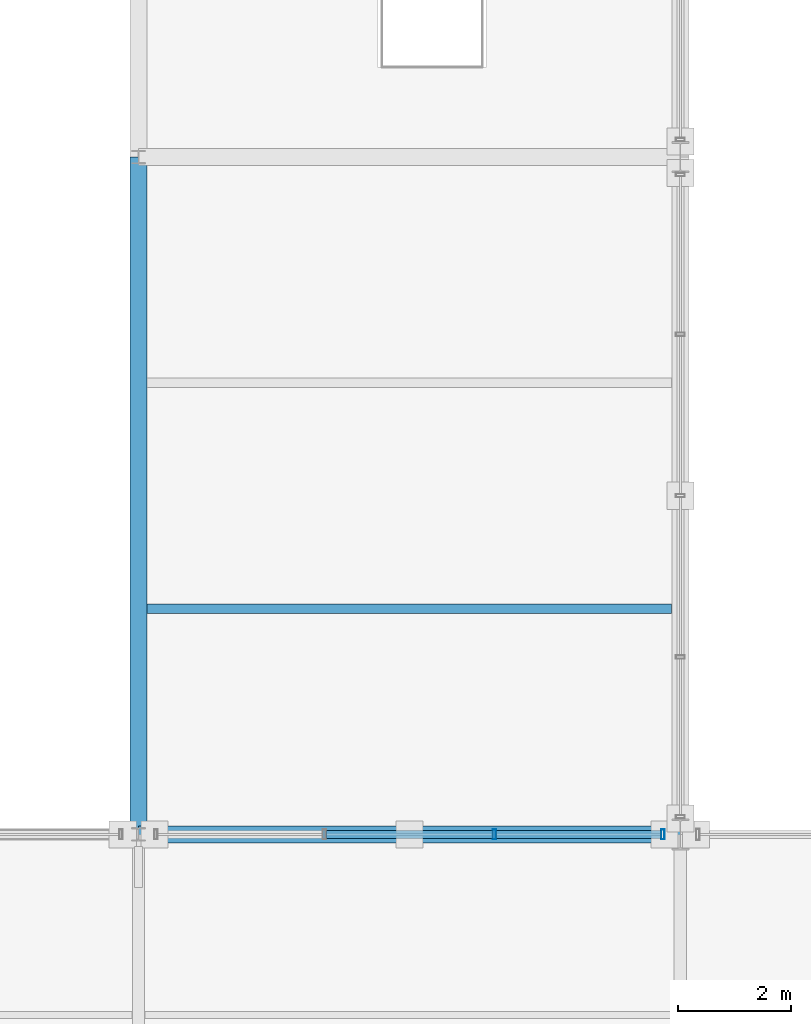
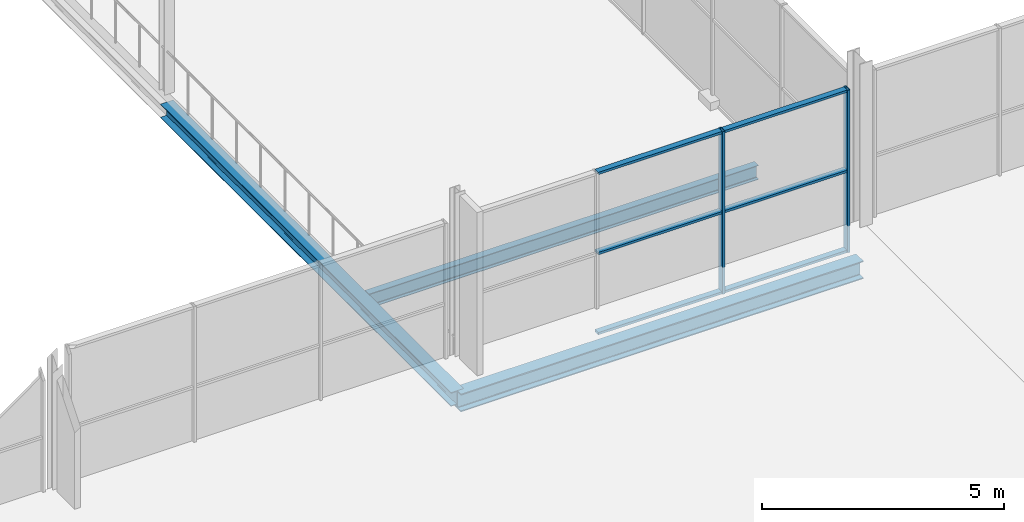
# One storey, part 30 of 159: 8 members, 3 beams, 1 element without a shape of its own.
"""IFC4 building model written with IfcOpenShell, lengths in metres."""

from ifc_helpers import new_model, si_unit, direction, frame, origin, origin_2d, place, context, subcontext, project, spatial, hollow_rectangle, i_section, extrude, material, material_profile, profile_set, type_object, element, aggregate, save


model = new_model("IFC4")

# Units and contexts
model_context = context("Model", 3, precision=1e-05, world=origin(), true_north=direction((0.0, 1.0)))
body_context = subcontext(model_context, "Body", "Model", "MODEL_VIEW")
ifc_project = project(units=[si_unit("LENGTHUNIT", "METRE"), si_unit("AREAUNIT", "SQUARE_METRE"), si_unit("VOLUMEUNIT", "CUBIC_METRE"), si_unit("PLANEANGLEUNIT", "RADIAN"), si_unit("MASSUNIT", "GRAM", prefix="KILO")], contexts=[model_context])

# Site, building, storey
site_placement = place(None, origin())
site = spatial("IfcSite", under=ifc_project, at=site_placement, CompositionType="ELEMENT")
building_placement = place(site_placement, origin())
building = spatial("IfcBuilding", under=site, at=building_placement, Name="Merenkruunu Market Hall", CompositionType="ELEMENT")
storey_placement = place(building_placement, frame((0.0, 0.0, 5.39990234375)))
storey = spatial("IfcBuildingStorey", under=building, at=storey_placement, Name="L01", CompositionType="ELEMENT", Elevation=5.39990234375)

# Curtain wall, members
ifc_material_1 = material(Name="Powder-coated aluminium", Category="aluminium")
curtain_wall_type = type_object("IfcCurtainWallType", Name="Glazed Curtain Wall CW09", PredefinedType="USERDEFINED", material=ifc_material_1)
curtain_wall_placement = place(storey_placement, origin())
curtain_wall = element("IfcCurtainWall", 1, at=curtain_wall_placement, inside=storey, type_object=curtain_wall_type, Name="CW-L01-CWM02-035", ObjectType="GLAZED_FACADE", PredefinedType="USERDEFINED")
ifc_material_profile_1 = material_profile(ifc_material_1, hollow_rectangle(XDim=0.06005859375, YDim=0.179931640625, WallThickness=0.00390625, at=origin_2d()), Name="ALU 60x180x4")
ifc_profile_set_1 = profile_set([ifc_material_profile_1], Name="Powder-coated aluminium")
member_type_1 = type_object("IfcMemberType", Name="Curtain Wall Mullion CWM02", PredefinedType="MULLION", material=ifc_profile_set_1)
member_1_placement = place(storey_placement, frame((57.2900390625, 15.60009765625, 0.0), z_axis=(0.0, 0.0, 1.0), x_axis=(-1.0, 0.0, 0.0)))
member_1 = element("IfcMember", 2, at=member_1_placement, type_object=member_type_1, Name="CW09 mullion 1", PredefinedType="MULLION", context=body_context, shape_type="SweptSolid", body=[
    extrude(hollow_rectangle(XDim=0.06005859375, YDim=0.179931640625, WallThickness=0.00390625, at=origin_2d()), origin(), (0.0, 0.0, 1.0), 4.10009765625),
])
member_2_placement = place(storey_placement, frame((54.306640625, 15.60009765625, 0.0), z_axis=(0.0, 0.0, 1.0), x_axis=(-1.0, 0.0, 0.0)))
member_2 = element("IfcMember", 3, at=member_2_placement, type_object=member_type_1, Name="CW09 mullion 2", PredefinedType="MULLION", context=body_context, shape_type="SweptSolid", body=[
    extrude(hollow_rectangle(XDim=0.06005859375, YDim=0.179931640625, WallThickness=0.00390625, at=origin_2d()), origin(), (0.0, 0.0, 1.0), 4.10009765625),
])
ifc_material_profile_2 = material_profile(ifc_material_1, hollow_rectangle(XDim=0.06005859375, YDim=0.139892578125, WallThickness=0.00390625, at=origin_2d()), Name="ALU 60x140x4")
ifc_profile_set_2 = profile_set([ifc_material_profile_2], Name="Powder-coated aluminium")
member_type_2 = type_object("IfcMemberType", Name="Curtain Wall Transom CWT02", PredefinedType="USERDEFINED", material=ifc_profile_set_2)
member_3_placement = place(storey_placement, frame((57.260009765625, 15.60009765625, 0.030029296875), z_axis=(-1.0, 0.0, 0.0), x_axis=(0.0, 0.0, 1.0)))
member_3 = element("IfcMember", 4, at=member_3_placement, type_object=member_type_2, Name="CW09 transom 1.1", ObjectType="TRANSOM", PredefinedType="USERDEFINED", context=body_context, shape_type="SweptSolid", body=[
    extrude(hollow_rectangle(XDim=0.06005859375, YDim=0.139892578125, WallThickness=0.00390625, at=origin_2d()), origin(), (0.0, 0.0, 1.0), 2.92333984375),
])
member_4_placement = place(storey_placement, frame((57.260009765625, 15.60009765625, 2.050048828125), z_axis=(-1.0, 0.0, 0.0), x_axis=(0.0, 0.0, 1.0)))
member_4 = element("IfcMember", 5, at=member_4_placement, type_object=member_type_2, Name="CW09 transom 1.2", ObjectType="TRANSOM", PredefinedType="USERDEFINED", context=body_context, shape_type="SweptSolid", body=[
    extrude(hollow_rectangle(XDim=0.06005859375, YDim=0.139892578125, WallThickness=0.00390625, at=origin_2d()), origin(), (0.0, 0.0, 1.0), 2.92333984375),
])
member_5_placement = place(storey_placement, frame((57.260009765625, 15.60009765625, 4.070068359375), z_axis=(-1.0, 0.0, 0.0), x_axis=(0.0, 0.0, 1.0)))
member_5 = element("IfcMember", 6, at=member_5_placement, type_object=member_type_2, Name="CW09 transom 1.3", ObjectType="TRANSOM", PredefinedType="USERDEFINED", context=body_context, shape_type="SweptSolid", body=[
    extrude(hollow_rectangle(XDim=0.06005859375, YDim=0.139892578125, WallThickness=0.00390625, at=origin_2d()), origin(), (0.0, 0.0, 1.0), 2.92333984375),
])
member_6_placement = place(storey_placement, frame((54.276611328125, 15.60009765625, 0.030029296875), z_axis=(-1.0, 0.0, 0.0), x_axis=(0.0, 0.0, 1.0)))
member_6 = element("IfcMember", 7, at=member_6_placement, type_object=member_type_2, Name="CW09 transom 2.1", ObjectType="TRANSOM", PredefinedType="USERDEFINED", context=body_context, shape_type="SweptSolid", body=[
    extrude(hollow_rectangle(XDim=0.06005859375, YDim=0.139892578125, WallThickness=0.00390625, at=origin_2d()), origin(), (0.0, 0.0, 1.0), 2.953369140625),
])
member_7_placement = place(storey_placement, frame((54.276611328125, 15.60009765625, 2.050048828125), z_axis=(-1.0, 0.0, 0.0), x_axis=(0.0, 0.0, 1.0)))
member_7 = element("IfcMember", 8, at=member_7_placement, type_object=member_type_2, Name="CW09 transom 2.2", ObjectType="TRANSOM", PredefinedType="USERDEFINED", context=body_context, shape_type="SweptSolid", body=[
    extrude(hollow_rectangle(XDim=0.06005859375, YDim=0.139892578125, WallThickness=0.00390625, at=origin_2d()), origin(), (0.0, 0.0, 1.0), 2.953369140625),
])
member_8_placement = place(storey_placement, frame((54.276611328125, 15.60009765625, 4.070068359375), z_axis=(-1.0, 0.0, 0.0), x_axis=(0.0, 0.0, 1.0)))
member_8 = element("IfcMember", 9, at=member_8_placement, type_object=member_type_2, Name="CW09 transom 2.3", ObjectType="TRANSOM", PredefinedType="USERDEFINED", context=body_context, shape_type="SweptSolid", body=[
    extrude(hollow_rectangle(XDim=0.06005859375, YDim=0.139892578125, WallThickness=0.00390625, at=origin_2d()), origin(), (0.0, 0.0, 1.0), 2.953369140625),
])
aggregate(curtain_wall, [member_1, member_2, member_3, member_4, member_5, member_6, member_7, member_8])

# Beams
ifc_material_2 = material(Name="Steel S355J2", Category="steel")
ifc_material_profile_3 = material_profile(ifc_material_2, i_section(OverallWidth=0.300048828125, OverallDepth=0.449951171875, WebThickness=0.013916015625, FlangeThickness=0.02587890625, FilletRadius=0.027099609375, at=origin_2d()), Name="HEB 450")
ifc_profile_set_3 = profile_set([ifc_material_profile_3], Name="Steel S355J2")
beam_type_1 = type_object("IfcBeamType", Name="Primary Floor Girder B03", PredefinedType="BEAM", material=ifc_profile_set_3)
beam_1_placement = place(storey_placement, frame((48.0, 15.60009765625, -0.5048828125), z_axis=(1.0, 0.0, 0.0), x_axis=(0.0, 1.0, 0.0)))
element("IfcBeam", 10, at=beam_1_placement, inside=storey, type_object=beam_type_1, Name="BM-L01-B03-0475", PredefinedType="BEAM", context=body_context, shape_type="SweptSolid", body=[
    extrude(i_section(OverallWidth=0.300048828125, OverallDepth=0.449951171875, WebThickness=0.013916015625, FlangeThickness=0.02587890625, FilletRadius=0.027099609375, at=origin_2d()), origin(), (0.0, 0.0, 1.0), 9.60009765625),
])
ifc_material_profile_4 = material_profile(ifc_material_2, i_section(OverallWidth=0.300048828125, OverallDepth=0.35009765625, WebThickness=0.010009765625, FlangeThickness=0.017578125, FilletRadius=0.027099609375, at=origin_2d()), Name="HEA 360")
ifc_profile_set_4 = profile_set([ifc_material_profile_4], Name="Steel S355J2")
beam_type_2 = type_object("IfcBeamType", Name="Primary Floor Girder B08", PredefinedType="BEAM", material=ifc_profile_set_4)
beam_2_placement = place(storey_placement, frame((48.0, 15.60009765625, -0.454833984375), z_axis=(0.0, 1.0, 0.0), x_axis=(-1.0, 0.0, 0.0)))
element("IfcBeam", 11, at=beam_2_placement, inside=storey, type_object=beam_type_2, Name="BM-L01-B08-0571", PredefinedType="BEAM", context=body_context, shape_type="SweptSolid", body=[
    extrude(i_section(OverallWidth=0.300048828125, OverallDepth=0.35009765625, WebThickness=0.010009765625, FlangeThickness=0.017578125, FilletRadius=0.027099609375, at=origin_2d()), origin(), (0.0, 0.0, 1.0), 12.0),
])
ifc_material_profile_5 = material_profile(ifc_material_2, i_section(OverallWidth=0.169921875, OverallDepth=0.360107421875, WebThickness=0.008056640625, FlangeThickness=0.0126953125, FilletRadius=0.01806640625, at=origin_2d()), Name="IPE 360")
ifc_profile_set_5 = profile_set([ifc_material_profile_5], Name="Steel S355J2")
beam_type_3 = type_object("IfcBeamType", Name="Secondary Floor Joist J03", PredefinedType="JOIST", material=ifc_profile_set_5)
beam_3_placement = place(storey_placement, frame((48.153076171875, 19.60009765625, -0.4599609375), z_axis=(1.0, 0.0, 0.0), x_axis=(0.0, 1.0, 0.0)))
element("IfcBeam", 12, at=beam_3_placement, inside=storey, type_object=beam_type_3, Name="BM-L01-J03-0665", PredefinedType="JOIST", context=body_context, shape_type="SweptSolid", body=[
    extrude(i_section(OverallWidth=0.169921875, OverallDepth=0.360107421875, WebThickness=0.008056640625, FlangeThickness=0.0126953125, FilletRadius=0.01806640625, at=origin_2d()), origin(), (0.0, 0.0, 1.0), 9.2939453125),
])

save(model, "model.ifc")
